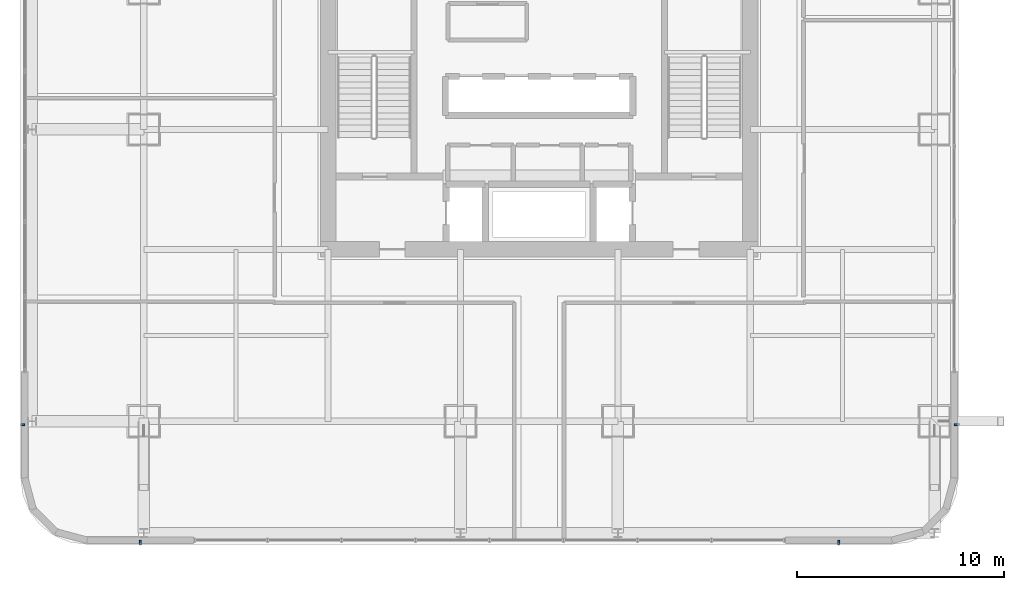
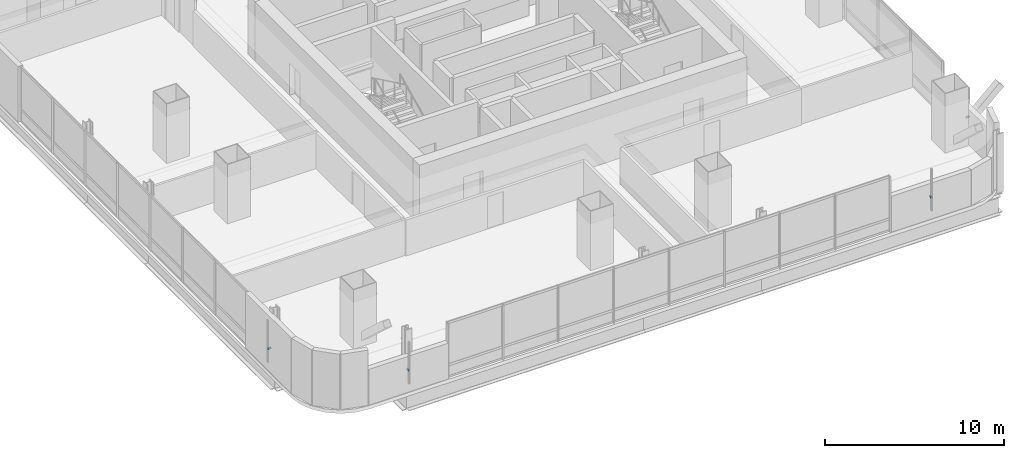
# One storey, part 32 of 45: 4 discrete accessories.
"""IFC4 building model written with IfcOpenShell, lengths in metres."""

from ifc_helpers import new_model, si_unit, direction, frame, origin, origin_2d, place, context, subcontext, project, spatial, rectangle, extrude, material, type_object, element, save


model = new_model("IFC4")

# Units and contexts
model_context = context("Model", 3, precision=1e-05, world=origin(), true_north=direction((0.0, 1.0)))
body_context = subcontext(model_context, "Body", "Model", "MODEL_VIEW")
ifc_project = project(units=[si_unit("LENGTHUNIT", "METRE"), si_unit("AREAUNIT", "SQUARE_METRE"), si_unit("VOLUMEUNIT", "CUBIC_METRE"), si_unit("PLANEANGLEUNIT", "RADIAN"), si_unit("MASSUNIT", "GRAM", prefix="KILO")], contexts=[model_context])

# Site, building, storey
site_placement = place(None, origin())
site = spatial("IfcSite", under=ifc_project, at=site_placement, CompositionType="ELEMENT")
building_placement = place(site_placement, origin())
building = spatial("IfcBuilding", under=site, at=building_placement, Name="Punatoya Terracotta Tower", CompositionType="ELEMENT")
storey_placement = place(building_placement, frame((0.0, 0.0, 56.550048828125)))
storey = spatial("IfcBuildingStorey", under=building, at=storey_placement, Name="L12", CompositionType="ELEMENT", Elevation=56.550048828125)

# Discrete accessories
ifc_material = material(Name="Steel S355", Category="steel")
discrete_accessory_type = type_object("IfcDiscreteAccessoryType", Name="ACC-BRK-220", PredefinedType="BRACKET", material=ifc_material)
for number, where, z_axis, x_axis, name in (
    (1, (-19.2685546875, -23.35009765625, 1.449951171875), (0.0, 0.0, 1.0), (1.0, 0.0, 0.0), "L12 Jali Fin Support Bracket S1"),
    (2, (14.468505859375, -23.35009765625, 1.449951171875), (0.0, 0.0, 1.0), (1.0, 0.0, 0.0), "L12 Jali Fin Support Bracket S2"),
    (3, (20.14990234375, -17.66845703125, 1.449951171875), (0.0, 0.0, 1.0), (0.0, 1.0, 0.0), "L12 Jali Fin Support Bracket E1"),
    (4, (-24.949951171875, -17.66845703125, 1.449951171875), (0.0, 0.0, 1.0), (0.0, -1.0, 0.0), "L12 Jali Fin Support Bracket W2"),
):
    element("IfcDiscreteAccessory", number, at=place(storey_placement, frame(where, z_axis=z_axis, x_axis=x_axis)), inside=storey, type_object=discrete_accessory_type, Name=name, PredefinedType="BRACKET", context=body_context, shape_type="SweptSolid", body=[
        extrude(rectangle(XDim=0.090087890625, YDim=0.219970703125, at=origin_2d()), origin(), (0.0, 0.0, 1.0), 0.10009765625),
    ])

save(model, "model.ifc")
